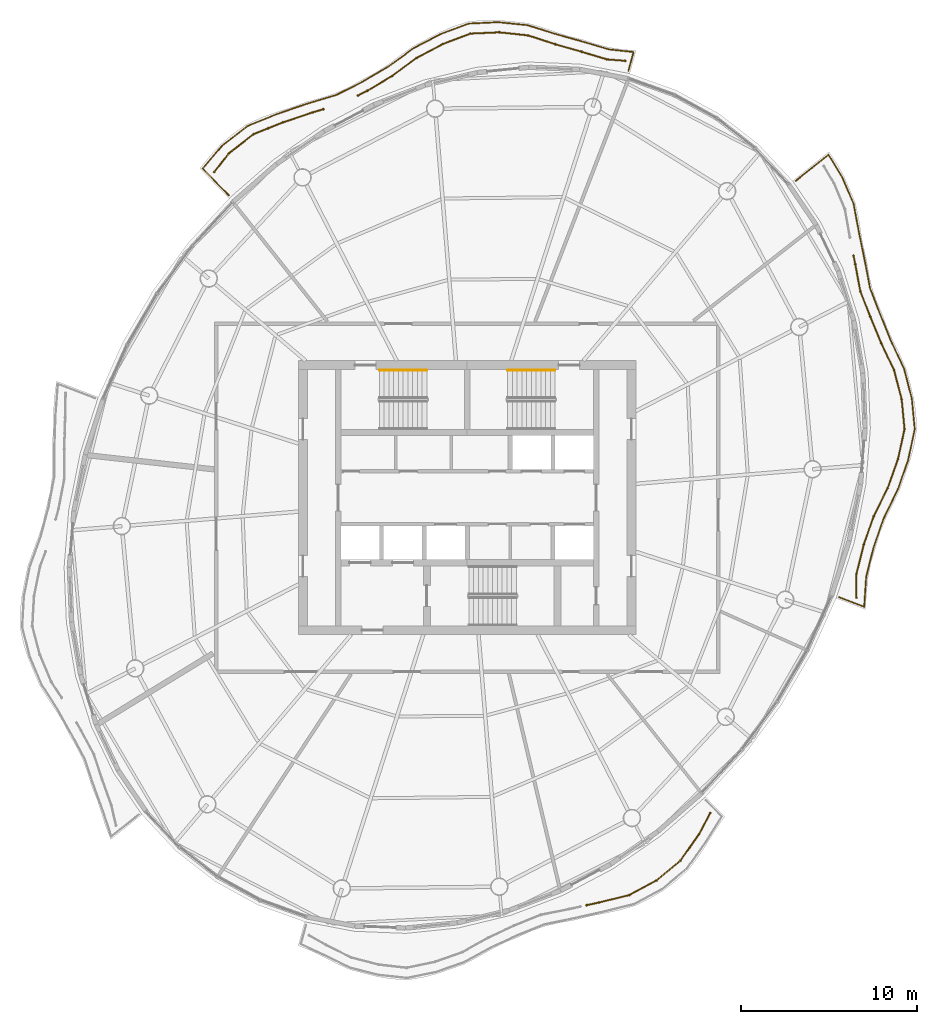
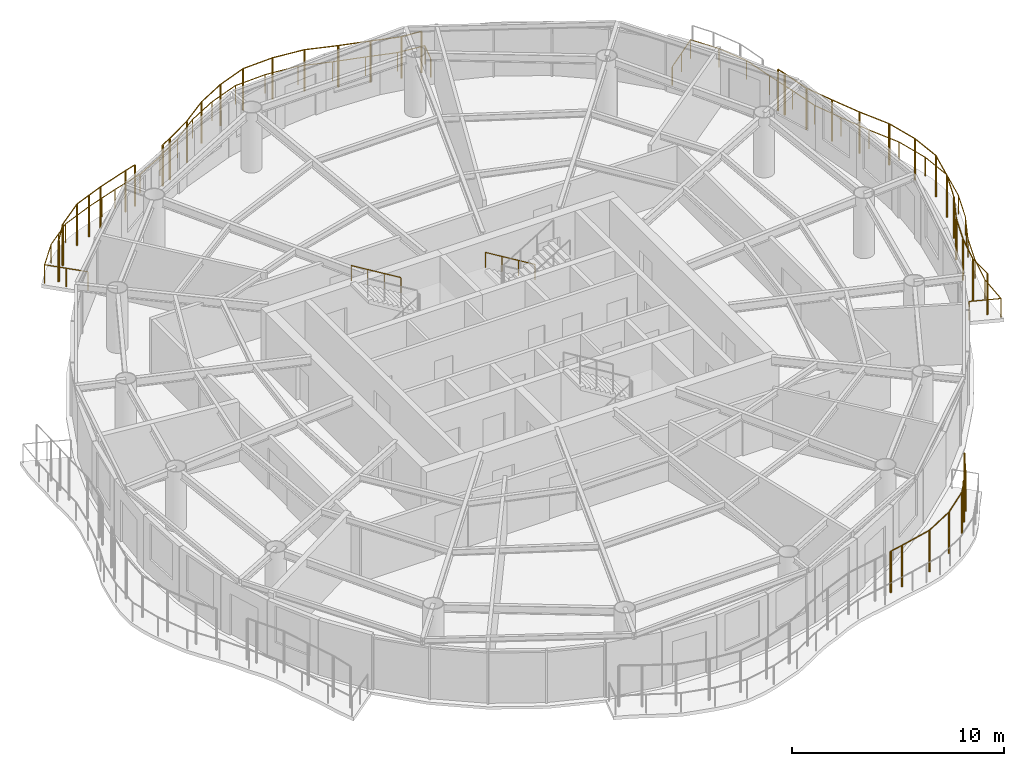
# One storey, part 14 of 15: 8 railings.
"""IFC4 building model written with IfcOpenShell, lengths in metres."""

from ifc_helpers import new_model, si_unit, direction, frame, origin, origin_2d, place, context, subcontext, project, spatial, circle, extrude, material, type_object, element, save


model = new_model("IFC4")

# Units and contexts
model_context = context("Model", 3, precision=1e-05, world=origin(), true_north=direction((0.0, 1.0)))
body_context = subcontext(model_context, "Body", "Model", "MODEL_VIEW")
ifc_project = project(units=[si_unit("LENGTHUNIT", "METRE"), si_unit("AREAUNIT", "SQUARE_METRE"), si_unit("VOLUMEUNIT", "CUBIC_METRE"), si_unit("PLANEANGLEUNIT", "RADIAN"), si_unit("MASSUNIT", "GRAM", prefix="KILO")], contexts=[model_context])

# Site, building, storey
site_placement = place(None, origin())
site = spatial("IfcSite", under=ifc_project, at=site_placement, CompositionType="ELEMENT")
building_placement = place(site_placement, origin())
building = spatial("IfcBuilding", under=site, at=building_placement, Name="Vermilion Reach Broadcast Tower", CompositionType="ELEMENT")
storey_placement = place(building_placement, frame((0.0, 0.0, 261.300048828125)))
storey = spatial("IfcBuildingStorey", under=building, at=storey_placement, Name="L64", CompositionType="ELEMENT", Elevation=261.300048828125)

# Railings
ifc_material_1 = material(Name="Terracotta baguette", Category="masonry")
railing_type_1 = type_object("IfcRailingType", Name="BAGUETTE SCREEN", PredefinedType="USERDEFINED", material=ifc_material_1)
railing_1_placement = place(storey_placement, frame((2.9912109375, 24.874755859375, 0.0)))
element("IfcRailing", 1, at=railing_1_placement, inside=storey, type_object=railing_type_1, Name="Baguette screen L64 group 1 part 1", ObjectType="BAGUETTE SCREEN", PredefinedType="USERDEFINED", context=body_context, shape_type="SweptSolid", body=[
    extrude(circle(Radius=0.030029296875, at=origin_2d()), frame((0.0, 0.0, 2.369873046875), z_axis=(-0.996872997497, 0.079020420533, 0.0), x_axis=(-0.079020420533, -0.996872997497, 0.0)), (0.0, 0.0, 1.0), 1.044189453125),
    extrude(circle(Radius=0.030029296875, at=origin_2d()), frame((-1.041015625, 0.08251953125, 2.369873046875), z_axis=(-0.957389831209, 0.288798738047, 0.0), x_axis=(-0.288798738047, -0.957389831209, 0.0)), (0.0, 0.0, 1.0), 1.4970703125),
    extrude(circle(Radius=0.030029296875, at=origin_2d()), frame((-2.474365234375, 0.514892578125, 2.369873046875), z_axis=(-0.961665252845, 0.274226077297, 0.0), x_axis=(-0.274226077297, -0.961665252845, 0.0)), (0.0, 0.0, 1.0), 1.563232421875),
    extrude(circle(Radius=0.030029296875, at=origin_2d()), frame((-3.977783203125, 0.943603515625, 2.369873046875), z_axis=(-0.951205057822, 0.308559456139, 0.0), x_axis=(-0.308559456139, -0.951205057822, 0.0)), (0.0, 0.0, 1.0), 1.635498046875),
    extrude(circle(Radius=0.030029296875, at=origin_2d()), frame((-5.533447265625, 1.4482421875, 2.369873046875), z_axis=(-0.994398530776, 0.105695610084, 0.0), x_axis=(-0.105695610084, -0.994398530776, 0.0)), (0.0, 0.0, 1.0), 1.64697265625),
    extrude(circle(Radius=0.030029296875, at=origin_2d()), frame((-7.171142578125, 1.622314453125, 2.369873046875), z_axis=(-0.998966080108, -0.045461750885, 0.0), x_axis=(0.045461750885, -0.998966080108, 0.0)), (0.0, 0.0, 1.0), 1.637939453125),
    extrude(circle(Radius=0.030029296875, at=origin_2d()), frame((-8.807373046875, 1.5478515625, 2.369873046875), z_axis=(-0.935703548491, -0.352787286253, 0.0), x_axis=(0.352787286253, -0.935703548491, 0.0)), (0.0, 0.0, 1.0), 1.68798828125),
    extrude(circle(Radius=0.030029296875, at=origin_2d()), frame((-10.38671875, 0.952392578125, 2.369873046875), z_axis=(-0.883055536845, -0.469268493346, 0.0), x_axis=(0.469268493346, -0.883055536845, 0.0)), (0.0, 0.0, 1.0), 1.680908203125),
    extrude(circle(Radius=0.030029296875, at=origin_2d()), frame((-11.87109375, 0.16357421875, 2.369873046875), z_axis=(-0.804999107909, -0.593276020302, 0.0), x_axis=(0.593276020302, -0.804999107909, 0.0)), (0.0, 0.0, 1.0), 1.730712890625),
    extrude(circle(Radius=0.030029296875, at=origin_2d()), frame((-13.264404296875, -0.86328125, 2.369873046875), z_axis=(-0.859714040525, -0.510775653809, 0.0), x_axis=(0.510775653809, -0.859714040525, 0.0)), (0.0, 0.0, 1.0), 1.642822265625),
    extrude(circle(Radius=0.030029296875, at=origin_2d()), frame((-14.6767578125, -1.702392578125, 2.369873046875), z_axis=(-0.892083315171, -0.451870953696, 0.0), x_axis=(0.451870953696, -0.892083315171, 0.0)), (0.0, 0.0, 1.0), 0.607177734375),
    extrude(circle(Radius=0.050048828125, at=origin_2d()), origin(), (0.0, 0.0, 1.0), 2.33984375),
    extrude(circle(Radius=0.050048828125, at=origin_2d()), frame((-1.041015625, 0.08251953125, 0.0)), (0.0, 0.0, 1.0), 2.33984375),
    extrude(circle(Radius=0.050048828125, at=origin_2d()), frame((-2.474365234375, 0.514892578125, 0.0)), (0.0, 0.0, 1.0), 2.33984375),
    extrude(circle(Radius=0.050048828125, at=origin_2d()), frame((-3.977783203125, 0.943603515625, 0.0)), (0.0, 0.0, 1.0), 2.33984375),
    extrude(circle(Radius=0.050048828125, at=origin_2d()), frame((-5.533447265625, 1.4482421875, 0.0)), (0.0, 0.0, 1.0), 2.33984375),
    extrude(circle(Radius=0.050048828125, at=origin_2d()), frame((-7.171142578125, 1.622314453125, 0.0)), (0.0, 0.0, 1.0), 2.33984375),
    extrude(circle(Radius=0.050048828125, at=origin_2d()), frame((-8.807373046875, 1.5478515625, 0.0)), (0.0, 0.0, 1.0), 2.33984375),
    extrude(circle(Radius=0.050048828125, at=origin_2d()), frame((-10.38671875, 0.952392578125, 0.0)), (0.0, 0.0, 1.0), 2.33984375),
    extrude(circle(Radius=0.050048828125, at=origin_2d()), frame((-11.87109375, 0.16357421875, 0.0)), (0.0, 0.0, 1.0), 2.33984375),
    extrude(circle(Radius=0.050048828125, at=origin_2d()), frame((-13.264404296875, -0.86328125, 0.0)), (0.0, 0.0, 1.0), 2.33984375),
    extrude(circle(Radius=0.050048828125, at=origin_2d()), frame((-14.6767578125, -1.702392578125, 0.0)), (0.0, 0.0, 1.0), 2.33984375),
    extrude(circle(Radius=0.050048828125, at=origin_2d()), frame((-15.218505859375, -1.976806640625, 0.0)), (0.0, 0.0, 1.0), 2.33984375),
])
railing_2_placement = place(storey_placement, frame((-14.19140625, 22.11962890625, 0.0)))
element("IfcRailing", 2, at=railing_2_placement, inside=storey, type_object=railing_type_1, Name="Baguette screen L64 group 1 part 2", ObjectType="BAGUETTE SCREEN", PredefinedType="USERDEFINED", context=body_context, shape_type="SweptSolid", body=[
    extrude(circle(Radius=0.030029296875, at=origin_2d()), frame((0.0, 0.0, 2.369873046875), z_axis=(-0.958975225803, -0.283489887468, 0.0), x_axis=(0.283489887468, -0.958975225803, 0.0)), (0.0, 0.0, 1.0), 0.638916015625),
    extrude(circle(Radius=0.030029296875, at=origin_2d()), frame((-0.61279296875, -0.18115234375, 2.369873046875), z_axis=(-0.947746104316, -0.319025581661, 0.0), x_axis=(0.319025581661, -0.947746104316, 0.0)), (0.0, 0.0, 1.0), 1.779296875),
    extrude(circle(Radius=0.030029296875, at=origin_2d()), frame((-2.299072265625, -0.748779296875, 2.369873046875), z_axis=(-0.927952737825, -0.372697888864, 0.0), x_axis=(0.372697888864, -0.927952737825, 0.0)), (0.0, 0.0, 1.0), 1.802734375),
    extrude(circle(Radius=0.030029296875, at=origin_2d()), frame((-3.971923828125, -1.420654296875, 2.369873046875), z_axis=(-0.789337507758, -0.613959525414, 0.0), x_axis=(0.613959525414, -0.789337507758, 0.0)), (0.0, 0.0, 1.0), 1.787353515625),
    extrude(circle(Radius=0.030029296875, at=origin_2d()), frame((-5.3828125, -2.51806640625, 2.369873046875), z_axis=(-0.617021169113, -0.786946552738, 0.0), x_axis=(0.786946552738, -0.617021169113, 0.0)), (0.0, 0.0, 1.0), 1.34765625),
    extrude(circle(Radius=0.050048828125, at=origin_2d()), origin(), (0.0, 0.0, 1.0), 2.33984375),
    extrude(circle(Radius=0.050048828125, at=origin_2d()), frame((-0.61279296875, -0.18115234375, 0.0)), (0.0, 0.0, 1.0), 2.33984375),
    extrude(circle(Radius=0.050048828125, at=origin_2d()), frame((-2.299072265625, -0.748779296875, 0.0)), (0.0, 0.0, 1.0), 2.33984375),
    extrude(circle(Radius=0.050048828125, at=origin_2d()), frame((-3.135498046875, -1.084716796875, 0.0)), (0.0, 0.0, 1.0), 2.33984375),
    extrude(circle(Radius=0.050048828125, at=origin_2d()), frame((-3.971923828125, -1.420654296875, 0.0)), (0.0, 0.0, 1.0), 2.33984375),
    extrude(circle(Radius=0.050048828125, at=origin_2d()), frame((-5.3828125, -2.51806640625, 0.0)), (0.0, 0.0, 1.0), 2.33984375),
    extrude(circle(Radius=0.050048828125, at=origin_2d()), frame((-6.21435546875, -3.57861328125, 0.0)), (0.0, 0.0, 1.0), 2.33984375),
])
railing_3_placement = place(storey_placement, frame((0.7939453125, -23.2021484375, 0.0)))
element("IfcRailing", 3, at=railing_3_placement, inside=storey, type_object=railing_type_1, Name="Baguette screen L64 group 3 part 2", ObjectType="BAGUETTE SCREEN", PredefinedType="USERDEFINED", context=body_context, shape_type="SweptSolid", body=[
    extrude(circle(Radius=0.030029296875, at=origin_2d()), frame((0.0, 0.0, 2.369873046875), z_axis=(0.976988702538, 0.213291057274, 0.0), x_axis=(-0.213291057274, 0.976988702538, 0.0)), (0.0, 0.0, 1.0), 0.7177734375),
    extrude(circle(Radius=0.030029296875, at=origin_2d()), frame((0.701171875, 0.153076171875, 2.369873046875), z_axis=(0.971531127499, 0.236911942083, 0.0), x_axis=(-0.236911942083, 0.971531127499, 0.0)), (0.0, 0.0, 1.0), 1.778564453125),
    extrude(circle(Radius=0.030029296875, at=origin_2d()), frame((2.42919921875, 0.574462890625, 2.369873046875), z_axis=(0.879982767478, 0.475005609379, 0.0), x_axis=(-0.475005609379, 0.879982767478, 0.0)), (0.0, 0.0, 1.0), 1.767578125),
    extrude(circle(Radius=0.030029296875, at=origin_2d()), frame((3.984619140625, 1.4140625, 2.369873046875), z_axis=(0.770147926394, 0.637865323929, 0.0), x_axis=(-0.637865323929, 0.770147926394, 0.0)), (0.0, 0.0, 1.0), 1.762451171875),
    extrude(circle(Radius=0.030029296875, at=origin_2d()), frame((5.342041015625, 2.538330078125, 2.369873046875), z_axis=(0.57610309418, 0.817377039606, 0.0), x_axis=(-0.817377039606, 0.57610309418, 0.0)), (0.0, 0.0, 1.0), 1.83447265625),
    extrude(circle(Radius=0.030029296875, at=origin_2d()), frame((6.39892578125, 4.037841796875, 2.369873046875), z_axis=(0.468477332264, 0.883475517009, 0.0), x_axis=(-0.883475517009, 0.468477332264, 0.0)), (0.0, 0.0, 1.0), 1.36962890625),
    extrude(circle(Radius=0.050048828125, at=origin_2d()), origin(), (0.0, 0.0, 1.0), 2.33984375),
    extrude(circle(Radius=0.050048828125, at=origin_2d()), frame((0.701171875, 0.153076171875, 0.0)), (0.0, 0.0, 1.0), 2.33984375),
    extrude(circle(Radius=0.050048828125, at=origin_2d()), frame((2.42919921875, 0.574462890625, 0.0)), (0.0, 0.0, 1.0), 2.33984375),
    extrude(circle(Radius=0.050048828125, at=origin_2d()), frame((3.984619140625, 1.4140625, 0.0)), (0.0, 0.0, 1.0), 2.33984375),
    extrude(circle(Radius=0.050048828125, at=origin_2d()), frame((5.342041015625, 2.538330078125, 0.0)), (0.0, 0.0, 1.0), 2.33984375),
    extrude(circle(Radius=0.050048828125, at=origin_2d()), frame((5.87060546875, 3.2880859375, 0.0)), (0.0, 0.0, 1.0), 2.33984375),
    extrude(circle(Radius=0.050048828125, at=origin_2d()), frame((6.39892578125, 4.037841796875, 0.0)), (0.0, 0.0, 1.0), 2.33984375),
    extrude(circle(Radius=0.050048828125, at=origin_2d()), frame((7.04052734375, 5.247802734375, 0.0)), (0.0, 0.0, 1.0), 2.33984375),
])
railing_4_placement = place(storey_placement, frame((16.160400390625, -5.688720703125, 0.0)))
element("IfcRailing", 4, at=railing_4_placement, inside=storey, type_object=railing_type_1, Name="Baguette screen L64 group 4 part 1", ObjectType="BAGUETTE SCREEN", PredefinedType="USERDEFINED", context=body_context, shape_type="SweptSolid", body=[
    extrude(circle(Radius=0.030029296875, at=origin_2d()), frame((0.0, 0.0, 2.369873046875), z_axis=(0.000900900535, 0.999999594189, 0.0), x_axis=(-0.999999594189, 0.000900900535, 0.0)), (0.0, 0.0, 1.0), 1.35498046875),
    extrude(circle(Radius=0.030029296875, at=origin_2d()), frame((0.001220703125, 1.35498046875, 2.369873046875), z_axis=(0.242401736101, 0.970175962563, 0.0), x_axis=(-0.970175962563, 0.242401736101, 0.0)), (0.0, 0.0, 1.0), 1.71630859375),
    extrude(circle(Radius=0.030029296875, at=origin_2d()), frame((0.417236328125, 3.02001953125, 2.369873046875), z_axis=(0.330350424728, 0.943858356366, 0.0), x_axis=(-0.943858356366, 0.330350424728, 0.0)), (0.0, 0.0, 1.0), 1.701904296875),
    extrude(circle(Radius=0.030029296875, at=origin_2d()), frame((0.9794921875, 4.62646484375, 2.369873046875), z_axis=(0.445138808058, 0.89546158017, 0.0), x_axis=(-0.89546158017, 0.445138808058, 0.0)), (0.0, 0.0, 1.0), 1.78955078125),
    extrude(circle(Radius=0.030029296875, at=origin_2d()), frame((1.776123046875, 6.22900390625, 2.369873046875), z_axis=(0.335286977803, 0.942116045143, 0.0), x_axis=(-0.942116045143, 0.335286977803, 0.0)), (0.0, 0.0, 1.0), 1.754150390625),
    extrude(circle(Radius=0.030029296875, at=origin_2d()), frame((2.3642578125, 7.881591796875, 2.369873046875), z_axis=(0.213174315475, 0.977014181689, 0.0), x_axis=(-0.977014181689, 0.213174315475, 0.0)), (0.0, 0.0, 1.0), 1.755615234375),
    extrude(circle(Radius=0.030029296875, at=origin_2d()), frame((2.738525390625, 9.596923828125, 2.369873046875), z_axis=(-0.096369957977, 0.995345583805, 0.0), x_axis=(-0.995345583805, -0.096369957977, 0.0)), (0.0, 0.0, 1.0), 1.705078125),
    extrude(circle(Radius=0.030029296875, at=origin_2d()), frame((2.57421875, 11.2939453125, 2.369873046875), z_axis=(-0.253353059805, 0.967373881747, 0.0), x_axis=(-0.967373881747, -0.253353059805, 0.0)), (0.0, 0.0, 1.0), 1.71826171875),
    extrude(circle(Radius=0.030029296875, at=origin_2d()), frame((2.138916015625, 12.9560546875, 2.369873046875), z_axis=(-0.43067916227, 0.902505102028, 0.0), x_axis=(-0.902505102028, -0.43067916227, 0.0)), (0.0, 0.0, 1.0), 1.702880859375),
    extrude(circle(Radius=0.030029296875, at=origin_2d()), frame((1.405517578125, 14.492919921875, 2.369873046875), z_axis=(-0.381941161322, 0.92418664202, 0.0), x_axis=(-0.92418664202, -0.381941161322, 0.0)), (0.0, 0.0, 1.0), 1.628173828125),
    extrude(circle(Radius=0.030029296875, at=origin_2d()), frame((0.78369140625, 15.99755859375, 2.369873046875), z_axis=(-0.363782268778, 0.93148401002, 0.0), x_axis=(-0.93148401002, -0.363782268778, 0.0)), (0.0, 0.0, 1.0), 1.551513671875),
    extrude(circle(Radius=0.030029296875, at=origin_2d()), frame((0.21923828125, 17.44287109375, 2.369873046875), z_axis=(-0.18346099407, 0.983026990298, 0.0), x_axis=(-0.983026990298, -0.18346099407, 0.0)), (0.0, 0.0, 1.0), 1.567626953125),
    extrude(circle(Radius=0.030029296875, at=origin_2d()), frame((-0.068359375, 18.98388671875, 2.369873046875), z_axis=(-0.1976674394, 0.980269138248, 0.0), x_axis=(-0.980269138248, -0.1976674394, 0.0)), (0.0, 0.0, 1.0), 0.484130859375),
    extrude(circle(Radius=0.050048828125, at=origin_2d()), origin(), (0.0, 0.0, 1.0), 2.33984375),
    extrude(circle(Radius=0.050048828125, at=origin_2d()), frame((0.001220703125, 1.35498046875, 0.0)), (0.0, 0.0, 1.0), 2.33984375),
    extrude(circle(Radius=0.050048828125, at=origin_2d()), frame((0.417236328125, 3.02001953125, 0.0)), (0.0, 0.0, 1.0), 2.33984375),
    extrude(circle(Radius=0.050048828125, at=origin_2d()), frame((0.9794921875, 4.62646484375, 0.0)), (0.0, 0.0, 1.0), 2.33984375),
    extrude(circle(Radius=0.050048828125, at=origin_2d()), frame((1.776123046875, 6.22900390625, 0.0)), (0.0, 0.0, 1.0), 2.33984375),
    extrude(circle(Radius=0.050048828125, at=origin_2d()), frame((2.3642578125, 7.881591796875, 0.0)), (0.0, 0.0, 1.0), 2.33984375),
    extrude(circle(Radius=0.050048828125, at=origin_2d()), frame((2.738525390625, 9.596923828125, 0.0)), (0.0, 0.0, 1.0), 2.33984375),
    extrude(circle(Radius=0.050048828125, at=origin_2d()), frame((2.57421875, 11.2939453125, 0.0)), (0.0, 0.0, 1.0), 2.33984375),
    extrude(circle(Radius=0.050048828125, at=origin_2d()), frame((2.138916015625, 12.9560546875, 0.0)), (0.0, 0.0, 1.0), 2.33984375),
    extrude(circle(Radius=0.050048828125, at=origin_2d()), frame((1.405517578125, 14.492919921875, 0.0)), (0.0, 0.0, 1.0), 2.33984375),
    extrude(circle(Radius=0.050048828125, at=origin_2d()), frame((0.78369140625, 15.99755859375, 0.0)), (0.0, 0.0, 1.0), 2.33984375),
    extrude(circle(Radius=0.050048828125, at=origin_2d()), frame((0.21923828125, 17.44287109375, 0.0)), (0.0, 0.0, 1.0), 2.33984375),
    extrude(circle(Radius=0.050048828125, at=origin_2d()), frame((-0.068359375, 18.98388671875, 0.0)), (0.0, 0.0, 1.0), 2.33984375),
    extrude(circle(Radius=0.050048828125, at=origin_2d()), frame((-0.1640625, 19.45849609375, 0.0)), (0.0, 0.0, 1.0), 2.33984375),
])
ifc_material_2 = material(Name="Stainless steel 316 balustrade", Category="steel")
railing_type_2 = type_object("IfcRailingType", Name="Balcony guard 1100", PredefinedType="BALUSTRADE", material=ifc_material_2)
railing_5_placement = place(storey_placement, frame((3.1787109375, 24.31298828125, 0.0)))
element("IfcRailing", 5, at=railing_5_placement, inside=storey, type_object=railing_type_2, Name="Balcony guard L64 group 1", PredefinedType="BALUSTRADE", context=body_context, shape_type="SweptSolid", body=[
    extrude(circle(Radius=0.02490234375, at=origin_2d()), frame((0.0, 0.0, 1.0751953125), z_axis=(0.263719438107, 0.96459942876, 0.0), x_axis=(-0.96459942876, 0.263719438107, 0.0)), (0.0, 0.0, 1.0), 1.097900390625),
    extrude(circle(Radius=0.02490234375, at=origin_2d()), frame((0.28955078125, 1.05908203125, 1.0751953125), z_axis=(-0.99401950983, 0.109202628528, 0.0), x_axis=(-0.109202628528, -0.99401950983, 0.0)), (0.0, 0.0, 1.0), 1.41748046875),
    extrude(circle(Radius=0.02490234375, at=origin_2d()), frame((-1.119384765625, 1.2138671875, 1.0751953125), z_axis=(-0.958500060431, 0.285092325667, 0.0), x_axis=(-0.285092325667, -0.958500060431, 0.0)), (0.0, 0.0, 1.0), 1.539794921875),
    extrude(circle(Radius=0.02490234375, at=origin_2d()), frame((-2.59521484375, 1.65283203125, 1.0751953125), z_axis=(-0.96311387122, 0.26909416765, 0.0), x_axis=(-0.26909416765, -0.96311387122, 0.0)), (0.0, 0.0, 1.0), 1.60595703125),
    extrude(circle(Radius=0.02490234375, at=origin_2d()), frame((-4.141845703125, 2.0849609375, 1.0751953125), z_axis=(-0.953481269806, 0.301452265091, 0.0), x_axis=(-0.301452265091, -0.953481269806, 0.0)), (0.0, 0.0, 1.0), 1.6748046875),
    extrude(circle(Radius=0.02490234375, at=origin_2d()), frame((-5.73876953125, 2.58984375, 1.0751953125), z_axis=(-0.994843382403, 0.101423096432, 0.0), x_axis=(-0.101423096432, -0.994843382403, 0.0)), (0.0, 0.0, 1.0), 1.6875),
    extrude(circle(Radius=0.02490234375, at=origin_2d()), frame((-7.41748046875, 2.760986328125, 1.0751953125), z_axis=(-0.99886616058, -0.047606651291, 0.0), x_axis=(0.047606651291, -0.99886616058, 0.0)), (0.0, 0.0, 1.0), 1.677001953125),
    extrude(circle(Radius=0.02490234375, at=origin_2d()), frame((-9.092529296875, 2.68115234375, 1.0751953125), z_axis=(-0.936984127244, -0.349371929745, 0.0), x_axis=(0.349371929745, -0.936984127244, 0.0)), (0.0, 0.0, 1.0), 1.726806640625),
    extrude(circle(Radius=0.02490234375, at=origin_2d()), frame((-10.71044921875, 2.077880859375, 1.0751953125), z_axis=(-0.885291095427, -0.465037284911, 0.0), x_axis=(0.465037284911, -0.885291095427, 0.0)), (0.0, 0.0, 1.0), 1.71728515625),
    extrude(circle(Radius=0.02490234375, at=origin_2d()), frame((-12.230712890625, 1.279296875, 1.0751953125), z_axis=(-0.808688267167, -0.588237440619, 0.0), x_axis=(0.588237440619, -0.808688267167, 0.0)), (0.0, 0.0, 1.0), 1.766357421875),
    extrude(circle(Radius=0.02490234375, at=origin_2d()), frame((-13.6591796875, 0.240234375, 1.0751953125), z_axis=(-0.861218947087, -0.508234124375, 0.0), x_axis=(0.508234124375, -0.861218947087, 0.0)), (0.0, 0.0, 1.0), 1.677978515625),
    extrude(circle(Radius=0.02490234375, at=origin_2d()), frame((-15.104248046875, -0.612548828125, 1.0751953125), z_axis=(-0.892165253761, -0.451709154192, 0.0), x_axis=(0.451709154192, -0.892165253761, 0.0)), (0.0, 0.0, 1.0), 1.692138671875),
    extrude(circle(Radius=0.02490234375, at=origin_2d()), frame((-16.614013671875, -1.376953125, 1.0751953125), z_axis=(-0.957683606929, -0.287823051578, 0.0), x_axis=(0.287823051578, -0.957683606929, 0.0)), (0.0, 0.0, 1.0), 1.743896484375),
    extrude(circle(Radius=0.02490234375, at=origin_2d()), frame((-18.2841796875, -1.87890625, 1.0751953125), z_axis=(-0.946285526894, -0.323332184588, 0.0), x_axis=(0.323332184588, -0.946285526894, 0.0)), (0.0, 0.0, 1.0), 1.812255859375),
    extrude(circle(Radius=0.02490234375, at=origin_2d()), frame((-19.9990234375, -2.46484375, 1.0751953125), z_axis=(-0.926238699379, -0.376937490536, 0.0), x_axis=(0.376937490536, -0.926238699379, 0.0)), (0.0, 0.0, 1.0), 1.834228515625),
    extrude(circle(Radius=0.02490234375, at=origin_2d()), frame((-21.697998046875, -3.15625, 1.0751953125), z_axis=(-0.78907046713, -0.614302692411, 0.0), x_axis=(0.614302692411, -0.78907046713, 0.0)), (0.0, 0.0, 1.0), 1.8203125),
    extrude(circle(Radius=0.02490234375, at=origin_2d()), frame((-23.13427734375, -4.2744140625, 1.0751953125), z_axis=(-0.647482078688, -0.762080676686, 0.0), x_axis=(0.762080676686, -0.647482078688, 0.0)), (0.0, 0.0, 1.0), 1.704345703125),
    extrude(circle(Radius=0.02490234375, at=origin_2d()), frame((-24.23779296875, -5.5732421875, 1.0751953125), z_axis=(0.697661782565, -0.716427272756, 0.0), x_axis=(0.716427272756, 0.697661782565, 0.0)), (0.0, 0.0, 1.0), 2.12060546875),
    extrude(circle(Radius=0.02490234375, at=origin_2d()), origin(), (0.0, 0.0, 1.0), 1.050048828125),
    extrude(circle(Radius=0.02490234375, at=origin_2d()), frame((0.28955078125, 1.05908203125, 0.0)), (0.0, 0.0, 1.0), 1.050048828125),
    extrude(circle(Radius=0.02490234375, at=origin_2d()), frame((-1.119384765625, 1.2138671875, 0.0)), (0.0, 0.0, 1.0), 1.050048828125),
    extrude(circle(Radius=0.02490234375, at=origin_2d()), frame((-2.59521484375, 1.65283203125, 0.0)), (0.0, 0.0, 1.0), 1.050048828125),
    extrude(circle(Radius=0.02490234375, at=origin_2d()), frame((-4.141845703125, 2.0849609375, 0.0)), (0.0, 0.0, 1.0), 1.050048828125),
    extrude(circle(Radius=0.02490234375, at=origin_2d()), frame((-5.73876953125, 2.58984375, 0.0)), (0.0, 0.0, 1.0), 1.050048828125),
    extrude(circle(Radius=0.02490234375, at=origin_2d()), frame((-7.41748046875, 2.760986328125, 0.0)), (0.0, 0.0, 1.0), 1.050048828125),
    extrude(circle(Radius=0.02490234375, at=origin_2d()), frame((-9.092529296875, 2.68115234375, 0.0)), (0.0, 0.0, 1.0), 1.050048828125),
    extrude(circle(Radius=0.02490234375, at=origin_2d()), frame((-10.71044921875, 2.077880859375, 0.0)), (0.0, 0.0, 1.0), 1.050048828125),
    extrude(circle(Radius=0.02490234375, at=origin_2d()), frame((-12.230712890625, 1.279296875, 0.0)), (0.0, 0.0, 1.0), 1.050048828125),
    extrude(circle(Radius=0.02490234375, at=origin_2d()), frame((-13.6591796875, 0.240234375, 0.0)), (0.0, 0.0, 1.0), 1.050048828125),
    extrude(circle(Radius=0.02490234375, at=origin_2d()), frame((-15.104248046875, -0.612548828125, 0.0)), (0.0, 0.0, 1.0), 1.050048828125),
    extrude(circle(Radius=0.02490234375, at=origin_2d()), frame((-16.614013671875, -1.376953125, 0.0)), (0.0, 0.0, 1.0), 1.050048828125),
    extrude(circle(Radius=0.02490234375, at=origin_2d()), frame((-18.2841796875, -1.87890625, 0.0)), (0.0, 0.0, 1.0), 1.050048828125),
    extrude(circle(Radius=0.02490234375, at=origin_2d()), frame((-19.1416015625, -2.171875, 0.0)), (0.0, 0.0, 1.0), 1.050048828125),
    extrude(circle(Radius=0.02490234375, at=origin_2d()), frame((-19.9990234375, -2.46484375, 0.0)), (0.0, 0.0, 1.0), 1.050048828125),
    extrude(circle(Radius=0.02490234375, at=origin_2d()), frame((-20.8486328125, -2.810546875, 0.0)), (0.0, 0.0, 1.0), 1.050048828125),
    extrude(circle(Radius=0.02490234375, at=origin_2d()), frame((-21.697998046875, -3.15625, 0.0)), (0.0, 0.0, 1.0), 1.050048828125),
    extrude(circle(Radius=0.02490234375, at=origin_2d()), frame((-22.416015625, -3.71533203125, 0.0)), (0.0, 0.0, 1.0), 1.050048828125),
    extrude(circle(Radius=0.02490234375, at=origin_2d()), frame((-23.13427734375, -4.2744140625, 0.0)), (0.0, 0.0, 1.0), 1.050048828125),
    extrude(circle(Radius=0.02490234375, at=origin_2d()), frame((-24.23779296875, -5.5732421875, 0.0)), (0.0, 0.0, 1.0), 1.050048828125),
    extrude(circle(Radius=0.02490234375, at=origin_2d()), frame((-23.498046875, -6.3330078125, 0.0)), (0.0, 0.0, 1.0), 1.050048828125),
    extrude(circle(Radius=0.02490234375, at=origin_2d()), frame((-22.75830078125, -7.092529296875, 0.0)), (0.0, 0.0, 1.0), 1.050048828125),
])
railing_6_placement = place(storey_placement, frame((15.185302734375, -5.668212890625, 0.0)))
element("IfcRailing", 6, at=railing_6_placement, inside=storey, type_object=railing_type_2, Name="Balcony guard L64 group 4", PredefinedType="BALUSTRADE", context=body_context, shape_type="SweptSolid", body=[
    extrude(circle(Radius=0.02490234375, at=origin_2d()), frame((0.0, 0.0, 1.0751953125), z_axis=(0.933851029788, -0.357662206787, 0.0), x_axis=(0.357662206787, 0.933851029788, 0.0)), (0.0, 0.0, 1.0), 1.51611328125),
    extrude(circle(Radius=0.02490234375, at=origin_2d()), frame((1.415771484375, -0.542236328125, 1.0751953125), z_axis=(0.066233551168, 0.997804147466, 0.0), x_axis=(-0.997804147466, 0.066233551168, 0.0)), (0.0, 0.0, 1.0), 1.702880859375),
    extrude(circle(Radius=0.02490234375, at=origin_2d()), frame((1.528564453125, 1.156982421875, 1.0751953125), z_axis=(0.243028268563, 0.970019206345, 0.0), x_axis=(-0.970019206345, 0.243028268563, 0.0)), (0.0, 0.0, 1.0), 1.7490234375),
    extrude(circle(Radius=0.02490234375, at=origin_2d()), frame((1.95361328125, 2.853515625, 1.0751953125), z_axis=(0.328362309833, 0.944551847958, 0.0), x_axis=(-0.944551847958, 0.328362309833, 0.0)), (0.0, 0.0, 1.0), 1.734619140625),
    extrude(circle(Radius=0.02490234375, at=origin_2d()), frame((2.523193359375, 4.491943359375, 1.0751953125), z_axis=(0.440339397842, 0.897831395479, 0.0), x_axis=(-0.897831395479, 0.440339397842, 0.0)), (0.0, 0.0, 1.0), 1.82177734375),
    extrude(circle(Radius=0.02490234375, at=origin_2d()), frame((3.325439453125, 6.127685546875, 1.0751953125), z_axis=(0.331269086782, 0.943536322641, 0.0), x_axis=(-0.943536322641, 0.331269086782, 0.0)), (0.0, 0.0, 1.0), 1.787109375),
    extrude(circle(Radius=0.02490234375, at=origin_2d()), frame((3.91748046875, 7.81396484375, 1.0751953125), z_axis=(0.209966692337, 0.977708539448, 0.0), x_axis=(-0.977708539448, 0.209966692337, 0.0)), (0.0, 0.0, 1.0), 1.79052734375),
    extrude(circle(Radius=0.02490234375, at=origin_2d()), frame((4.29345703125, 9.564697265625, 1.0751953125), z_axis=(-0.09469654382, 0.995506185108, 0.0), x_axis=(-0.995506185108, -0.09469654382, 0.0)), (0.0, 0.0, 1.0), 1.740234375),
    extrude(circle(Radius=0.02490234375, at=origin_2d()), frame((4.128662109375, 11.297119140625, 1.0751953125), z_axis=(-0.249469820986, 0.968382573375, 0.0), x_axis=(-0.968382573375, -0.249469820986, 0.0)), (0.0, 0.0, 1.0), 1.754638671875),
    extrude(circle(Radius=0.02490234375, at=origin_2d()), frame((3.69091796875, 12.996337890625, 1.0751953125), z_axis=(-0.424775624978, 0.905298662556, 0.0), x_axis=(-0.905298662556, -0.424775624978, 0.0)), (0.0, 0.0, 1.0), 1.738525390625),
    extrude(circle(Radius=0.02490234375, at=origin_2d()), frame((2.952392578125, 14.5703125, 1.0751953125), z_axis=(-0.377948250592, 0.925826722381, 0.0), x_axis=(-0.925826722381, -0.377948250592, 0.0)), (0.0, 0.0, 1.0), 1.66650390625),
    extrude(circle(Radius=0.02490234375, at=origin_2d()), frame((2.322509765625, 16.11328125, 1.0751953125), z_axis=(-0.36144616734, 0.932392979443, 0.0), x_axis=(-0.932392979443, -0.36144616734, 0.0)), (0.0, 0.0, 1.0), 1.590576171875),
    extrude(circle(Radius=0.02490234375, at=origin_2d()), frame((1.74755859375, 17.596435546875, 1.0751953125), z_axis=(-0.187321368603, 0.982298684141, 0.0), x_axis=(-0.982298684141, -0.187321368603, 0.0)), (0.0, 0.0, 1.0), 1.6083984375),
    extrude(circle(Radius=0.02490234375, at=origin_2d()), frame((1.4462890625, 19.17626953125, 1.0751953125), z_axis=(-0.202680907991, 0.979244836359, 0.0), x_axis=(-0.979244836359, -0.202680907991, 0.0)), (0.0, 0.0, 1.0), 1.608154296875),
    extrude(circle(Radius=0.02490234375, at=origin_2d()), frame((1.120361328125, 20.7509765625, 1.0751953125), z_axis=(-0.183640907272, 0.982993396304, 0.0), x_axis=(-0.982993396304, -0.183640907272, 0.0)), (0.0, 0.0, 1.0), 1.684326171875),
    extrude(circle(Radius=0.02490234375, at=origin_2d()), frame((0.81103515625, 22.40673828125, 1.0751953125), z_axis=(-0.394372379676, 0.918950720196, 0.0), x_axis=(-0.918950720196, -0.394372379676, 0.0)), (0.0, 0.0, 1.0), 1.625732421875),
    extrude(circle(Radius=0.02490234375, at=origin_2d()), frame((0.169921875, 23.900634765625, 1.0751953125), z_axis=(-0.520673383257, 0.853755953401, 0.0), x_axis=(-0.853755953401, -0.520673383257, 0.0)), (0.0, 0.0, 1.0), 1.513671875),
    extrude(circle(Radius=0.02490234375, at=origin_2d()), frame((-0.6181640625, 25.19287109375, 1.0751953125), z_axis=(-0.781878328421, -0.623431054364, 0.0), x_axis=(0.623431054364, -0.781878328421, 0.0)), (0.0, 0.0, 1.0), 2.380615234375),
    extrude(circle(Radius=0.02490234375, at=origin_2d()), origin(), (0.0, 0.0, 1.0), 1.050048828125),
    extrude(circle(Radius=0.02490234375, at=origin_2d()), frame((1.415771484375, -0.542236328125, 0.0)), (0.0, 0.0, 1.0), 1.050048828125),
    extrude(circle(Radius=0.02490234375, at=origin_2d()), frame((1.528564453125, 1.156982421875, 0.0)), (0.0, 0.0, 1.0), 1.050048828125),
    extrude(circle(Radius=0.02490234375, at=origin_2d()), frame((1.95361328125, 2.853515625, 0.0)), (0.0, 0.0, 1.0), 1.050048828125),
    extrude(circle(Radius=0.02490234375, at=origin_2d()), frame((2.523193359375, 4.491943359375, 0.0)), (0.0, 0.0, 1.0), 1.050048828125),
    extrude(circle(Radius=0.02490234375, at=origin_2d()), frame((2.92431640625, 5.309814453125, 0.0)), (0.0, 0.0, 1.0), 1.050048828125),
    extrude(circle(Radius=0.02490234375, at=origin_2d()), frame((3.325439453125, 6.127685546875, 0.0)), (0.0, 0.0, 1.0), 1.050048828125),
    extrude(circle(Radius=0.02490234375, at=origin_2d()), frame((3.91748046875, 7.81396484375, 0.0)), (0.0, 0.0, 1.0), 1.050048828125),
    extrude(circle(Radius=0.02490234375, at=origin_2d()), frame((4.29345703125, 9.564697265625, 0.0)), (0.0, 0.0, 1.0), 1.050048828125),
    extrude(circle(Radius=0.02490234375, at=origin_2d()), frame((4.128662109375, 11.297119140625, 0.0)), (0.0, 0.0, 1.0), 1.050048828125),
    extrude(circle(Radius=0.02490234375, at=origin_2d()), frame((3.69091796875, 12.996337890625, 0.0)), (0.0, 0.0, 1.0), 1.050048828125),
    extrude(circle(Radius=0.02490234375, at=origin_2d()), frame((2.952392578125, 14.5703125, 0.0)), (0.0, 0.0, 1.0), 1.050048828125),
    extrude(circle(Radius=0.02490234375, at=origin_2d()), frame((2.322509765625, 16.11328125, 0.0)), (0.0, 0.0, 1.0), 1.050048828125),
    extrude(circle(Radius=0.02490234375, at=origin_2d()), frame((1.74755859375, 17.596435546875, 0.0)), (0.0, 0.0, 1.0), 1.050048828125),
    extrude(circle(Radius=0.02490234375, at=origin_2d()), frame((1.4462890625, 19.17626953125, 0.0)), (0.0, 0.0, 1.0), 1.050048828125),
    extrude(circle(Radius=0.02490234375, at=origin_2d()), frame((1.120361328125, 20.7509765625, 0.0)), (0.0, 0.0, 1.0), 1.050048828125),
    extrude(circle(Radius=0.02490234375, at=origin_2d()), frame((0.81103515625, 22.40673828125, 0.0)), (0.0, 0.0, 1.0), 1.050048828125),
    extrude(circle(Radius=0.02490234375, at=origin_2d()), frame((0.169921875, 23.900634765625, 0.0)), (0.0, 0.0, 1.0), 1.050048828125),
    extrude(circle(Radius=0.02490234375, at=origin_2d()), frame((-0.6181640625, 25.19287109375, 0.0)), (0.0, 0.0, 1.0), 1.050048828125),
    extrude(circle(Radius=0.02490234375, at=origin_2d()), frame((-1.548828125, 24.45068359375, 0.0)), (0.0, 0.0, 1.0), 1.050048828125),
    extrude(circle(Radius=0.02490234375, at=origin_2d()), frame((-2.4794921875, 23.708740234375, 0.0)), (0.0, 0.0, 1.0), 1.050048828125),
])
ifc_material_3 = material(Name="Stainless steel", Category="steel")
railing_type_3 = type_object("IfcRailingType", Name="Stair handrail", PredefinedType="HANDRAIL", material=ifc_material_3)
railing_7_placement = place(storey_placement, frame((-8.300048828125, 7.25, 1.963623046875)))
element("IfcRailing", 7, at=railing_7_placement, inside=storey, type_object=railing_type_3, Name="L64 ST1 stair handrail 2", PredefinedType="HANDRAIL", context=body_context, shape_type="SweptSolid", body=[
    extrude(circle(Radius=0.02392578125, at=origin_2d()), frame((0.0, 0.0, 0.8759765625), z_axis=(-0.855212373127, 0.0, 0.518277721738), x_axis=(0.0, -1.0, 0.0)), (0.0, 0.0, 1.0), 3.156982421875),
    extrude(circle(Radius=0.02099609375, at=origin_2d()), origin(), (0.0, 0.0, 1.0), 0.851806640625),
    extrude(circle(Radius=0.02099609375, at=origin_2d()), frame((-0.89990234375, 0.0, 0.54541015625)), (0.0, 0.0, 1.0), 0.851806640625),
    extrude(circle(Radius=0.02099609375, at=origin_2d()), frame((-1.800048828125, 0.0, 1.0908203125)), (0.0, 0.0, 1.0), 0.851806640625),
    extrude(circle(Radius=0.02099609375, at=origin_2d()), frame((-2.699951171875, 0.0, 1.63623046875)), (0.0, 0.0, 1.0), 0.851806640625),
])
railing_8_placement = place(storey_placement, frame((-1.0, 7.25, 0.16357421875)))
element("IfcRailing", 8, at=railing_8_placement, inside=storey, type_object=railing_type_3, Name="L64 ST2 stair handrail 1", PredefinedType="HANDRAIL", context=body_context, shape_type="SweptSolid", body=[
    extrude(circle(Radius=0.02392578125, at=origin_2d()), frame((0.0, 0.0, 0.8759765625), z_axis=(-0.855178096276, 0.0, 0.518334277904), x_axis=(0.0, -1.0, 0.0)), (0.0, 0.0, 1.0), 3.1572265625),
    extrude(circle(Radius=0.02099609375, at=origin_2d()), origin(), (0.0, 0.0, 1.0), 0.851806640625),
    extrude(circle(Radius=0.02099609375, at=origin_2d()), frame((-0.89990234375, 0.0, 0.54541015625)), (0.0, 0.0, 1.0), 0.851806640625),
    extrude(circle(Radius=0.02099609375, at=origin_2d()), frame((-1.800048828125, 0.0, 1.091064453125)), (0.0, 0.0, 1.0), 0.851806640625),
    extrude(circle(Radius=0.02099609375, at=origin_2d()), frame((-2.699951171875, 0.0, 1.636474609375)), (0.0, 0.0, 1.0), 0.851806640625),
])

save(model, "model.ifc")
